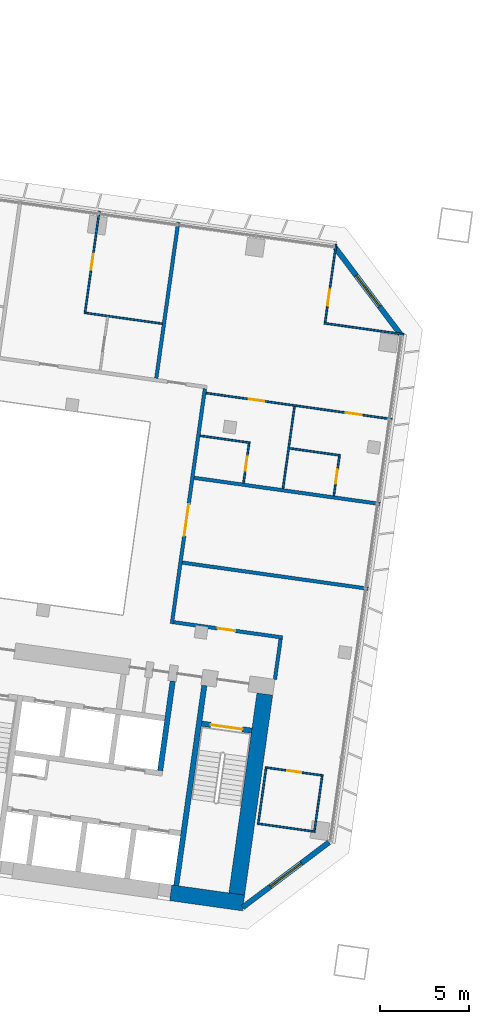
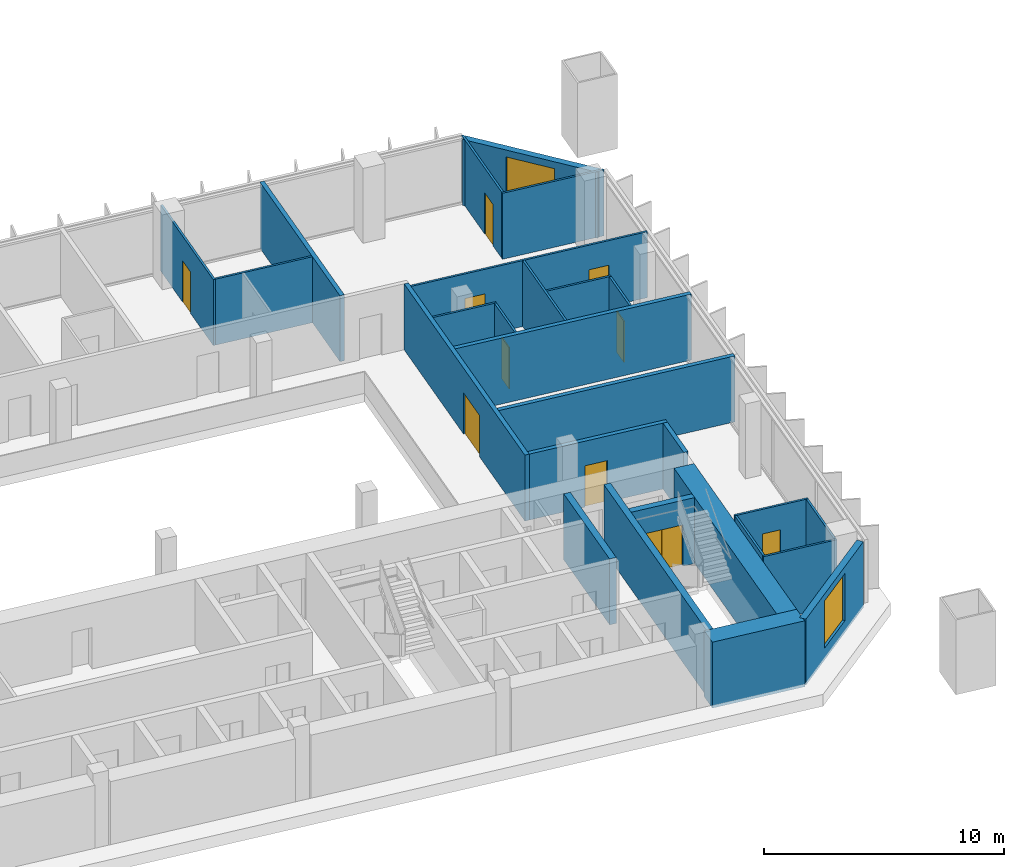
# One storey, part 17 of 24: 27 walls, 10 doors, 2 windows, 12 openings.
"""IFC4 building model written with IfcOpenShell, lengths in metres."""

from ifc_helpers import new_model, si_unit, direction, frame, frame_2d, origin, place, context, subcontext, project, spatial, rectangle, extrude, material, layer, layer_set, type_object, element, fill, save


model = new_model("IFC4")

# Units and contexts
model_context = context("Model", 3, precision=1e-05, world=origin(), true_north=direction((0.0, 1.0)))
body_context = subcontext(model_context, "Body", "Model", "MODEL_VIEW")
ifc_project = project(units=[si_unit("LENGTHUNIT", "METRE"), si_unit("AREAUNIT", "SQUARE_METRE"), si_unit("VOLUMEUNIT", "CUBIC_METRE"), si_unit("PLANEANGLEUNIT", "RADIAN"), si_unit("MASSUNIT", "GRAM", prefix="KILO")], contexts=[model_context])

# Site, building, storey
site_placement = place(None, origin())
site = spatial("IfcSite", under=ifc_project, at=site_placement, CompositionType="ELEMENT")
building_placement = place(site_placement, origin())
building = spatial("IfcBuilding", under=site, at=building_placement, Name="Mirante Cascada Hotel Towers", CompositionType="ELEMENT")
storey_placement = place(building_placement, frame((0.0, 0.0, 85.1)))
storey = spatial("IfcBuildingStorey", under=building, at=storey_placement, Name="L18", CompositionType="ELEMENT", Elevation=85.1)

# Wall, opening, door
ifc_material_1 = material(Name="Fire-rated plasterboard on metal studs")
ifc_layer_1 = layer(ifc_material_1, 0.2)
ifc_layer_set_1 = layer_set([ifc_layer_1], Name="Compartment wall 200 EI 120")
wall_type_1 = type_object("IfcWallType", Name="Compartment wall 200 EI 120", PredefinedType="PARTITIONING", material=ifc_layer_set_1)
wall_1_placement = place(storey_placement, frame((-34.8304, -4.7545, 0.0), z_axis=(0.0, 0.0, 1.0), x_axis=(-0.9902695, 0.1391629, 0.0)))
wall_1 = element("IfcWall", 1, at=wall_1_placement, inside=storey, type_object=wall_type_1, Name="Wall 1-L18-03", PredefinedType="PARTITIONING", context=body_context, shape_type="SweptSolid", body=[
    extrude(rectangle(XDim=6.1999, YDim=0.2, at=frame_2d((3.1, 0.0))), origin(), (0.0, 0.0, 1.0), 3.35),
])
opening_1_placement = place(wall_1_placement, frame((2.7, 0.0, 0.0)))
opening_1 = element("IfcOpeningElement", 2, at=opening_1_placement, cuts=wall_1, Name="Opening D1-L18-02", PredefinedType="OPENING", context=body_context, shape_type="SweptSolid", body=[
    extrude(rectangle(XDim=1.0, YDim=2.1, at=frame_2d((0.5, 1.05))), frame((0.0, 0.1, 0.0), z_axis=(0.0, -1.0, 0.0), x_axis=(1.0, 0.0, 0.0)), (0.0, 0.0, 1.0), 0.2),
])
ifc_material_2 = material(Name="Fire-rated timber door leaf", Category="wood")
door_type_1 = type_object("IfcDoorType", Name="Entrance door DG1 1000x2100 EI 60", OperationType="SINGLE_SWING_LEFT", PredefinedType="DOOR", material=ifc_material_2)
door_1_placement = place(opening_1_placement, origin())
door_1 = element("IfcDoor", 3, at=door_1_placement, inside=storey, type_object=door_type_1, Name="Door D1-L18-02", OperationType="SINGLE_SWING_LEFT", OverallHeight=2.1, OverallWidth=1.0, PredefinedType="DOOR", context=body_context, shape_type="SweptSolid", body=[
    extrude(rectangle(XDim=1.0, YDim=2.1, at=frame_2d((0.5, 1.05))), frame((0.0, 0.025, 0.0), z_axis=(0.0, -1.0, 0.0), x_axis=(1.0, 0.0, 0.0)), (0.0, 0.0, 1.0), 0.05),
])
fill(opening_1, door_1)

# Walls
wall_2_placement = place(storey_placement, frame((-40.4968, -0.5248, 0.0), z_axis=(0.0, 0.0, 1.0), x_axis=(0.9902684, -0.1391704, 0.0)))
element("IfcWall", 4, at=wall_2_placement, inside=storey, type_object=wall_type_1, Name="Wall 1-L18-04", PredefinedType="PARTITIONING", context=body_context, shape_type="SweptSolid", body=[
    extrude(rectangle(XDim=10.6, YDim=0.2, at=frame_2d((5.3, 0.0))), origin(), (0.0, 0.0, 1.0), 3.35),
])
wall_3_placement = place(storey_placement, frame((-39.8242, 4.2615, 0.0), z_axis=(0.0, 0.0, 1.0), x_axis=(0.9902686, -0.1391691, 0.0)))
element("IfcWall", 5, at=wall_3_placement, inside=storey, type_object=wall_type_1, Name="Wall 1-L18-08", PredefinedType="PARTITIONING", context=body_context, shape_type="SweptSolid", body=[
    extrude(rectangle(XDim=10.6001, YDim=0.2, at=frame_2d((5.3, 0.0))), origin(), (0.0, 0.0, 1.0), 3.35),
])
wall_4_placement = place(storey_placement, frame((-35.2634, -7.1173, 0.0), z_axis=(0.0, 0.0, 1.0), x_axis=(0.1391749, 0.9902678, 0.0)))
element("IfcWall", 6, at=wall_4_placement, inside=storey, type_object=wall_type_1, Name="Wall 1-L18-27", PredefinedType="PARTITIONING", context=body_context, shape_type="SweptSolid", body=[
    extrude(rectangle(XDim=2.3, YDim=0.2, at=frame_2d((1.15, 0.0))), origin(), (0.0, 0.0, 1.0), 3.35),
])

# Wall, opening, door
wall_5_placement = place(storey_placement, frame((-41.083, -3.9768, 0.0), z_axis=(0.0, 0.0, 1.0), x_axis=(0.1391716, 0.9902683, 0.0)))
wall_5 = element("IfcWall", 7, at=wall_5_placement, inside=storey, type_object=wall_type_1, Name="Wall 1-L18-31", PredefinedType="PARTITIONING", context=body_context, shape_type="SweptSolid", body=[
    extrude(rectangle(XDim=13.4, YDim=0.2, at=frame_2d((6.7, 0.0))), origin(), (0.0, 0.0, 1.0), 3.35),
])
opening_2_placement = place(wall_5_placement, frame((5.0167, 0.0, 0.0)))
opening_2 = element("IfcOpeningElement", 8, at=opening_2_placement, cuts=wall_5, Name="Opening D1-L18-26", PredefinedType="OPENING", context=body_context, shape_type="SweptSolid", body=[
    extrude(rectangle(XDim=1.8, YDim=2.1, at=frame_2d((0.9, 1.05))), frame((0.0, 0.1, 0.0), z_axis=(0.0, -1.0, 0.0), x_axis=(1.0, 0.0, 0.0)), (0.0, 0.0, 1.0), 0.2),
])
ifc_material_3 = material(Name="Fire-rated timber door leaf", Category="wood")
door_type_2 = type_object("IfcDoorType", Name="Suite double door DG2 1800x2100 EI 60", OperationType="DOUBLE_DOOR_SINGLE_SWING", PredefinedType="DOOR", material=ifc_material_3)
door_2_placement = place(opening_2_placement, origin())
door_2 = element("IfcDoor", 9, at=door_2_placement, inside=storey, type_object=door_type_2, Name="Door D1-L18-26", OperationType="DOUBLE_DOOR_SINGLE_SWING", OverallHeight=2.1, OverallWidth=1.8, PredefinedType="DOOR", context=body_context, shape_type="SweptSolid", body=[
    extrude(rectangle(XDim=0.895, YDim=2.1, at=frame_2d((0.4475, 1.05))), frame((0.0, 0.025, 0.0), z_axis=(0.0, -1.0, 0.0), x_axis=(1.0, 0.0, 0.0)), (0.0, 0.0, 1.0), 0.05),
    extrude(rectangle(XDim=0.895, YDim=2.1, at=frame_2d((1.3525, 1.05))), frame((0.0, 0.025, 0.0), z_axis=(0.0, -1.0, 0.0), x_axis=(1.0, 0.0, 0.0)), (0.0, 0.0, 1.0), 0.05),
])
fill(opening_2, door_2)

# Walls
wall_6_placement = place(storey_placement, frame((-40.7243, 18.6939, 0.0), z_axis=(0.0, 0.0, 1.0), x_axis=(-0.1391794, -0.9902672, 0.0)))
element("IfcWall", 10, at=wall_6_placement, inside=storey, type_object=wall_type_1, Name="Wall 1-L18-32", PredefinedType="PARTITIONING", context=body_context, shape_type="SweptSolid", body=[
    extrude(rectangle(XDim=8.9, YDim=0.2, at=frame_2d((4.45, 0.0))), origin(), (0.0, 0.0, 1.0), 3.35),
])
ifc_material_4 = material(Name="Plasterboard on metal studs")
ifc_layer_2 = layer(ifc_material_4, 0.1)
ifc_layer_set_2 = layer_set([ifc_layer_2], Name="Partition 100")
wall_type_2 = type_object("IfcWallType", Name="Partition 100", PredefinedType="PARTITIONING", material=ifc_layer_set_2)
wall_7_placement = place(storey_placement, frame((-32.9882, -15.7176, 0.0), z_axis=(0.0, 0.0, 1.0), x_axis=(-0.990267, 0.139181, 0.0)))
element("IfcWall", 11, at=wall_7_placement, inside=storey, type_object=wall_type_2, Name="Wall 1-L18-01", PredefinedType="PARTITIONING", context=body_context, shape_type="SweptSolid", body=[
    extrude(rectangle(XDim=3.3, YDim=0.1, at=frame_2d((1.65, 0.0))), origin(), (0.0, 0.0, 1.0), 3.35),
])

# Wall, opening, door
wall_8_placement = place(storey_placement, frame((-35.8107, -12.0895, 0.0), z_axis=(0.0, 0.0, 1.0), x_axis=(0.9902664, -0.1391852, 0.0)))
wall_8 = element("IfcWall", 12, at=wall_8_placement, inside=storey, type_object=wall_type_2, Name="Wall 1-L18-02", PredefinedType="PARTITIONING", context=body_context, shape_type="SweptSolid", body=[
    extrude(rectangle(XDim=3.2999, YDim=0.1, at=frame_2d((1.65, 0.0))), origin(), (0.0, 0.0, 1.0), 3.35),
])
opening_3_placement = place(wall_8_placement, frame((1.25, 0.0, 0.0)))
opening_3 = element("IfcOpeningElement", 13, at=opening_3_placement, cuts=wall_8, Name="Opening D1-L18-01", PredefinedType="OPENING", context=body_context, shape_type="SweptSolid", body=[
    extrude(rectangle(XDim=0.8, YDim=2.1, at=frame_2d((0.4, 1.05))), frame((0.0, 0.05, 0.0), z_axis=(0.0, -1.0, 0.0), x_axis=(1.0, 0.0, 0.0)), (0.0, 0.0, 1.0), 0.1),
])
ifc_material_5 = material(Name="Timber door leaf", Category="wood")
door_type_3 = type_object("IfcDoorType", Name="Bathroom door DG4 800x2100", OperationType="SINGLE_SWING_LEFT", PredefinedType="DOOR", material=ifc_material_5)
door_3_placement = place(opening_3_placement, origin())
door_3 = element("IfcDoor", 14, at=door_3_placement, inside=storey, type_object=door_type_3, Name="Door D1-L18-01", OperationType="SINGLE_SWING_LEFT", OverallHeight=2.1, OverallWidth=0.8, PredefinedType="DOOR", context=body_context, shape_type="SweptSolid", body=[
    extrude(rectangle(XDim=0.8, YDim=2.1, at=frame_2d((0.4, 1.05))), frame((0.0, 0.025, 0.0), z_axis=(0.0, -1.0, 0.0), x_axis=(1.0, 0.0, 0.0)), (0.0, 0.0, 1.0), 0.05),
])
fill(opening_3, door_3)

# Walls
wall_9_placement = place(storey_placement, frame((-34.4398, 5.9284, 0.0), z_axis=(0.0, 0.0, 1.0), x_axis=(0.9902683, -0.1391714, 0.0)))
element("IfcWall", 15, at=wall_9_placement, inside=storey, type_object=wall_type_2, Name="Wall 1-L18-10", PredefinedType="PARTITIONING", context=body_context, shape_type="SweptSolid", body=[
    extrude(rectangle(XDim=2.9, YDim=0.1, at=frame_2d((1.45, 0.0))), origin(), (0.0, 0.0, 1.0), 3.35),
])
wall_10_placement = place(storey_placement, frame((-36.6679, 6.2415, 0.0), z_axis=(0.0, 0.0, 1.0), x_axis=(-0.9902704, 0.1391564, 0.0)))
element("IfcWall", 16, at=wall_10_placement, inside=storey, type_object=wall_type_2, Name="Wall 1-L18-11", PredefinedType="PARTITIONING", context=body_context, shape_type="SweptSolid", body=[
    extrude(rectangle(XDim=2.85, YDim=0.1, at=frame_2d((1.425, 0.0))), origin(), (0.0, 0.0, 1.0), 3.35),
])

# Wall, openings, doors
wall_11_placement = place(storey_placement, frame((-28.6547, 7.5726, 0.0), z_axis=(0.0, 0.0, 1.0), x_axis=(-0.9902671, 0.1391797, 0.0)))
wall_11 = element("IfcWall", 17, at=wall_11_placement, inside=storey, type_object=wall_type_2, Name="Wall 1-L18-13", PredefinedType="PARTITIONING", context=body_context, shape_type="SweptSolid", body=[
    extrude(rectangle(XDim=10.6, YDim=0.1, at=frame_2d((5.3, 0.0))), origin(), (0.0, 0.0, 1.0), 3.35),
])
opening_4_placement = place(wall_11_placement, frame((1.725, 0.0, 0.0)))
opening_4 = element("IfcOpeningElement", 18, at=opening_4_placement, cuts=wall_11, Name="Opening D1-L18-06", PredefinedType="OPENING", context=body_context, shape_type="SweptSolid", body=[
    extrude(rectangle(XDim=0.9, YDim=2.1, at=frame_2d((0.45, 1.05))), frame((0.0, 0.05, 0.0), z_axis=(0.0, -1.0, 0.0), x_axis=(1.0, 0.0, 0.0)), (0.0, 0.0, 1.0), 0.1),
])
opening_5_placement = place(wall_11_placement, frame((7.275, 0.0, 0.0)))
opening_5 = element("IfcOpeningElement", 19, at=opening_5_placement, cuts=wall_11, Name="Opening D1-L18-07", PredefinedType="OPENING", context=body_context, shape_type="SweptSolid", body=[
    extrude(rectangle(XDim=0.9, YDim=2.1, at=frame_2d((0.45, 1.05))), frame((0.0, 0.05, 0.0), z_axis=(0.0, -1.0, 0.0), x_axis=(1.0, 0.0, 0.0)), (0.0, 0.0, 1.0), 0.1),
])
ifc_material_6 = material(Name="Timber door leaf", Category="wood")
door_type_4 = type_object("IfcDoorType", Name="Room door DG3 900x2100", OperationType="SINGLE_SWING_LEFT", PredefinedType="DOOR", material=ifc_material_6)
door_4_placement = place(opening_4_placement, frame((0.9, 0.0, 0.0), z_axis=(0.0, 0.0, 1.0), x_axis=(-1.0, 0.0, 0.0)))
door_4 = element("IfcDoor", 20, at=door_4_placement, inside=storey, type_object=door_type_4, Name="Door D1-L18-06", OperationType="SINGLE_SWING_RIGHT", OverallHeight=2.1, OverallWidth=0.9, PredefinedType="DOOR", context=body_context, shape_type="SweptSolid", body=[
    extrude(rectangle(XDim=0.9, YDim=2.1, at=frame_2d((0.45, 1.05))), frame((0.0, 0.025, 0.0), z_axis=(0.0, -1.0, 0.0), x_axis=(1.0, 0.0, 0.0)), (0.0, 0.0, 1.0), 0.05),
])
fill(opening_4, door_4)
door_5_placement = place(opening_5_placement, frame((0.9, 0.0, 0.0), z_axis=(0.0, 0.0, 1.0), x_axis=(-1.0, 0.0, 0.0)))
door_5 = element("IfcDoor", 21, at=door_5_placement, inside=storey, type_object=door_type_4, Name="Door D1-L18-07", OperationType="SINGLE_SWING_RIGHT", OverallHeight=2.1, OverallWidth=0.9, PredefinedType="DOOR", context=body_context, shape_type="SweptSolid", body=[
    extrude(rectangle(XDim=0.9, YDim=2.1, at=frame_2d((0.45, 1.05))), frame((0.0, 0.025, 0.0), z_axis=(0.0, -1.0, 0.0), x_axis=(1.0, 0.0, 0.0)), (0.0, 0.0, 1.0), 0.05),
])
fill(opening_5, door_5)

# Walls
wall_12_placement = place(storey_placement, frame((-45.9382, 13.5697, 0.0), z_axis=(0.0, 0.0, 1.0), x_axis=(0.9902679, -0.1391745, 0.0)))
element("IfcWall", 22, at=wall_12_placement, inside=storey, type_object=wall_type_2, Name="Wall 1-L18-20", PredefinedType="PARTITIONING", context=body_context, shape_type="SweptSolid", body=[
    extrude(rectangle(XDim=4.3499, YDim=0.1, at=frame_2d((2.175, 0.0))), origin(), (0.0, 0.0, 1.0), 3.35),
])
wall_13_placement = place(storey_placement, frame((-27.982, 12.3589, 0.0), z_axis=(0.0, 0.0, 1.0), x_axis=(-0.9902691, 0.1391656, 0.0)))
element("IfcWall", 23, at=wall_13_placement, inside=storey, type_object=wall_type_2, Name="Wall 1-L18-23", PredefinedType="PARTITIONING", context=body_context, shape_type="SweptSolid", body=[
    extrude(rectangle(XDim=4.55, YDim=0.1, at=frame_2d((2.275, 0.0))), origin(), (0.0, 0.0, 1.0), 3.35),
])
wall_14_placement = place(storey_placement, frame((-32.5993, -12.5913, 0.0), z_axis=(0.0, 0.0, 1.0), x_axis=(-0.1391945, -0.9902651, 0.0)))
element("IfcWall", 24, at=wall_14_placement, inside=storey, type_object=wall_type_2, Name="Wall 1-L18-24", PredefinedType="PARTITIONING", context=body_context, shape_type="SweptSolid", body=[
    extrude(rectangle(XDim=3.1, YDim=0.1, at=frame_2d((1.55, 0.0))), origin(), (0.0, 0.0, 1.0), 3.35),
])

# Wall, opening, door
wall_15_placement = place(storey_placement, frame((-31.9376, 3.2541, 0.0), z_axis=(0.0, 0.0, 1.0), x_axis=(0.1391561, 0.9902705, 0.0)))
wall_15 = element("IfcWall", 25, at=wall_15_placement, inside=storey, type_object=wall_type_2, Name="Wall 1-L18-25", PredefinedType="PARTITIONING", context=body_context, shape_type="SweptSolid", body=[
    extrude(rectangle(XDim=2.25, YDim=0.1, at=frame_2d((1.125, 0.0))), origin(), (0.0, 0.0, 1.0), 3.35),
])
opening_6_placement = place(wall_15_placement, frame((0.7, 0.0, 0.0)))
opening_6 = element("IfcOpeningElement", 26, at=opening_6_placement, cuts=wall_15, Name="Opening D1-L18-23", PredefinedType="OPENING", context=body_context, shape_type="SweptSolid", body=[
    extrude(rectangle(XDim=0.8, YDim=2.1, at=frame_2d((0.4, 1.05))), frame((0.0, 0.05, 0.0), z_axis=(0.0, -1.0, 0.0), x_axis=(1.0, 0.0, 0.0)), (0.0, 0.0, 1.0), 0.1),
])
door_6_placement = place(opening_6_placement, origin())
door_6 = element("IfcDoor", 27, at=door_6_placement, inside=storey, type_object=door_type_3, Name="Door D1-L18-23", OperationType="SINGLE_SWING_LEFT", OverallHeight=2.1, OverallWidth=0.8, PredefinedType="DOOR", context=body_context, shape_type="SweptSolid", body=[
    extrude(rectangle(XDim=0.8, YDim=2.1, at=frame_2d((0.4, 1.05))), frame((0.0, 0.025, 0.0), z_axis=(0.0, -1.0, 0.0), x_axis=(1.0, 0.0, 0.0)), (0.0, 0.0, 1.0), 0.05),
])
fill(opening_6, door_6)

# Wall
wall_16_placement = place(storey_placement, frame((-35.7682, -12.146, 0.0), z_axis=(0.0, 0.0, 1.0), x_axis=(-0.1391629, -0.9902695, 0.0)))
element("IfcWall", 28, at=wall_16_placement, inside=storey, type_object=wall_type_2, Name="Wall 1-L18-26", PredefinedType="PARTITIONING", context=body_context, shape_type="SweptSolid", body=[
    extrude(rectangle(XDim=3.1, YDim=0.1, at=frame_2d((1.55, 0.0))), origin(), (0.0, 0.0, 1.0), 3.35),
])

# Wall, opening, door
wall_17_placement = place(storey_placement, frame((-31.8119, 17.4414, 0.0), z_axis=(0.0, 0.0, 1.0), x_axis=(-0.1391684, -0.9902687, 0.0)))
wall_17 = element("IfcWall", 29, at=wall_17_placement, inside=storey, type_object=wall_type_2, Name="Wall 1-L18-28", PredefinedType="PARTITIONING", context=body_context, shape_type="SweptSolid", body=[
    extrude(rectangle(XDim=4.45, YDim=0.1, at=frame_2d((2.225, 0.0))), origin(), (0.0, 0.0, 1.0), 3.35),
])
opening_7_placement = place(wall_17_placement, frame((2.5833, 0.0, 0.0)))
opening_7 = element("IfcOpeningElement", 30, at=opening_7_placement, cuts=wall_17, Name="Opening D1-L18-24", PredefinedType="OPENING", context=body_context, shape_type="SweptSolid", body=[
    extrude(rectangle(XDim=0.9, YDim=2.1, at=frame_2d((0.45, 1.05))), frame((0.0, 0.05, 0.0), z_axis=(0.0, -1.0, 0.0), x_axis=(1.0, 0.0, 0.0)), (0.0, 0.0, 1.0), 0.1),
])
door_7_placement = place(opening_7_placement, frame((0.9, 0.0, 0.0), z_axis=(0.0, 0.0, 1.0), x_axis=(-1.0, 0.0, 0.0)))
door_7 = element("IfcDoor", 31, at=door_7_placement, inside=storey, type_object=door_type_4, Name="Door D1-L18-24", OperationType="SINGLE_SWING_RIGHT", OverallHeight=2.1, OverallWidth=0.9, PredefinedType="DOOR", context=body_context, shape_type="SweptSolid", body=[
    extrude(rectangle(XDim=0.9, YDim=2.1, at=frame_2d((0.45, 1.05))), frame((0.0, 0.025, 0.0), z_axis=(0.0, -1.0, 0.0), x_axis=(1.0, 0.0, 0.0)), (0.0, 0.0, 1.0), 0.05),
])
fill(opening_7, door_7)

# Wall
wall_18_placement = place(storey_placement, frame((-34.8094, 3.6577, 0.0), z_axis=(0.0, 0.0, 1.0), x_axis=(0.139173, 0.9902681, 0.0)))
element("IfcWall", 32, at=wall_18_placement, inside=storey, type_object=wall_type_2, Name="Wall 1-L18-29", PredefinedType="PARTITIONING", context=body_context, shape_type="SweptSolid", body=[
    extrude(rectangle(XDim=4.6834, YDim=0.1, at=frame_2d((2.3417, 0.0))), origin(), (0.0, 0.0, 1.0), 3.35),
])

# Wall, opening, door
wall_19_placement = place(storey_placement, frame((-36.7244, 6.1989, 0.0), z_axis=(0.0, 0.0, 1.0), x_axis=(-0.1391561, -0.9902705, 0.0)))
wall_19 = element("IfcWall", 33, at=wall_19_placement, inside=storey, type_object=wall_type_2, Name="Wall 1-L18-30", PredefinedType="PARTITIONING", context=body_context, shape_type="SweptSolid", body=[
    extrude(rectangle(XDim=2.25, YDim=0.1, at=frame_2d((1.125, 0.0))), origin(), (0.0, 0.0, 1.0), 3.35),
])
opening_8_placement = place(wall_19_placement, frame((0.75, 0.0, 0.0)))
opening_8 = element("IfcOpeningElement", 34, at=opening_8_placement, cuts=wall_19, Name="Opening D1-L18-25", PredefinedType="OPENING", context=body_context, shape_type="SweptSolid", body=[
    extrude(rectangle(XDim=0.8, YDim=2.1, at=frame_2d((0.4, 1.05))), frame((0.0, 0.05, 0.0), z_axis=(0.0, -1.0, 0.0), x_axis=(1.0, 0.0, 0.0)), (0.0, 0.0, 1.0), 0.1),
])
door_8_placement = place(opening_8_placement, frame((0.8, 0.0, 0.0), z_axis=(0.0, 0.0, 1.0), x_axis=(-1.0, 0.0, 0.0)))
door_8 = element("IfcDoor", 35, at=door_8_placement, inside=storey, type_object=door_type_3, Name="Door D1-L18-25", OperationType="SINGLE_SWING_RIGHT", OverallHeight=2.1, OverallWidth=0.8, PredefinedType="DOOR", context=body_context, shape_type="SweptSolid", body=[
    extrude(rectangle(XDim=0.8, YDim=2.1, at=frame_2d((0.4, 1.05))), frame((0.0, 0.025, 0.0), z_axis=(0.0, -1.0, 0.0), x_axis=(1.0, 0.0, 0.0)), (0.0, 0.0, 1.0), 0.05),
])
fill(opening_8, door_8)

wall_20_placement = place(storey_placement, frame((-45.1805, 19.3202, 0.0), z_axis=(0.0, 0.0, 1.0), x_axis=(-0.1391786, -0.9902673, 0.0)))
wall_20 = element("IfcWall", 36, at=wall_20_placement, inside=storey, type_object=wall_type_2, Name="Wall 1-L18-34", PredefinedType="PARTITIONING", context=body_context, shape_type="SweptSolid", body=[
    extrude(rectangle(XDim=5.85, YDim=0.1, at=frame_2d((2.925, 0.0))), origin(), (0.0, 0.0, 1.0), 3.35),
])
opening_9_placement = place(wall_20_placement, frame((2.45, 0.0, 0.0)))
opening_9 = element("IfcOpeningElement", 37, at=opening_9_placement, cuts=wall_20, Name="Opening D1-L18-28", PredefinedType="OPENING", context=body_context, shape_type="SweptSolid", body=[
    extrude(rectangle(XDim=0.9, YDim=2.1, at=frame_2d((0.45, 1.05))), frame((0.0, 0.05, 0.0), z_axis=(0.0, -1.0, 0.0), x_axis=(1.0, 0.0, 0.0)), (0.0, 0.0, 1.0), 0.1),
])
door_9_placement = place(opening_9_placement, frame((0.9, 0.0, 0.0), z_axis=(0.0, 0.0, 1.0), x_axis=(-1.0, 0.0, 0.0)))
door_9 = element("IfcDoor", 38, at=door_9_placement, inside=storey, type_object=door_type_4, Name="Door D1-L18-28", OperationType="SINGLE_SWING_RIGHT", OverallHeight=2.1, OverallWidth=0.9, PredefinedType="DOOR", context=body_context, shape_type="SweptSolid", body=[
    extrude(rectangle(XDim=0.9, YDim=2.1, at=frame_2d((0.45, 1.05))), frame((0.0, 0.025, 0.0), z_axis=(0.0, -1.0, 0.0), x_axis=(1.0, 0.0, 0.0)), (0.0, 0.0, 1.0), 0.05),
])
fill(opening_9, door_9)

# Wall, opening, window
ifc_material_7 = material(Name="Precast concrete C40/50", Category="concrete")
ifc_layer_3 = layer(ifc_material_7, 0.3)
ifc_layer_set_3 = layer_set([ifc_layer_3], Name="Precast concrete C40/50 cladding wall 300")
wall_type_3 = type_object("IfcWallType", Name="Precast concrete C40/50 cladding wall 300", PredefinedType="STANDARD", material=ifc_layer_set_3)
wall_21_placement = place(storey_placement, frame((-31.857, 17.252, 0.0), z_axis=(0.0, 0.0, 1.0), x_axis=(0.6018141, -0.7986362, 0.0)))
wall_21 = element("IfcWall", 39, at=wall_21_placement, inside=storey, type_object=wall_type_3, Name="Corner cladding wall T1 L18 front inner", PredefinedType="STANDARD", context=body_context, shape_type="SweptSolid", body=[
    extrude(rectangle(XDim=6.1157, YDim=0.3, at=frame_2d((3.0578, 0.0))), origin(), (0.0, 0.0, 1.0), 3.35),
])
opening_10_placement = place(wall_21_placement, frame((1.9578, 0.0, 0.6)))
opening_10 = element("IfcOpeningElement", 40, at=opening_10_placement, cuts=wall_21, Name="Opening W1-18-04", PredefinedType="OPENING", context=body_context, shape_type="SweptSolid", body=[
    extrude(rectangle(XDim=2.2, YDim=2.4, at=frame_2d((1.1, 1.2))), frame((0.0, 0.15, 0.0), z_axis=(0.0, -1.0, 0.0), x_axis=(1.0, 0.0, 0.0)), (0.0, 0.0, 1.0), 0.3),
])
ifc_material_8 = material(Name="Aluminium frame with clear double glazing", Category="aluminium")
window_type = type_object("IfcWindowType", Name="Corner suite window 2200x2400", PartitioningType="DOUBLE_PANEL_VERTICAL", PredefinedType="WINDOW", material=ifc_material_8)
window_1_placement = place(opening_10_placement, origin())
window_1 = element("IfcWindow", 41, at=window_1_placement, inside=storey, type_object=window_type, Name="Window W1-18-04", OverallHeight=2.4, OverallWidth=2.2, PartitioningType="SINGLE_PANEL", PredefinedType="WINDOW", context=body_context, shape_type="SweptSolid", body=[
    extrude(rectangle(XDim=2.2, YDim=2.4, at=frame_2d((1.1, 1.2))), frame((0.0, 0.03, 0.0), z_axis=(0.0, -1.0, 0.0), x_axis=(1.0, 0.0, 0.0)), (0.0, 0.0, 1.0), 0.06),
])
fill(opening_10, window_1)

wall_22_placement = place(storey_placement, frame((-32.2074, -16.3138, 0.0), z_axis=(0.0, 0.0, 1.0), x_axis=(-0.7986362, -0.6018141, 0.0)))
wall_22 = element("IfcWall", 42, at=wall_22_placement, inside=storey, type_object=wall_type_3, Name="Corner cladding wall T1 L18 inner rear", PredefinedType="STANDARD", context=body_context, shape_type="SweptSolid", body=[
    extrude(rectangle(XDim=6.1157, YDim=0.3, at=frame_2d((3.0578, 0.0))), origin(), (0.0, 0.0, 1.0), 3.35),
])
opening_11_placement = place(wall_22_placement, frame((1.9578, 0.0, 0.6)))
opening_11 = element("IfcOpeningElement", 43, at=opening_11_placement, cuts=wall_22, Name="Opening W1-18-05", PredefinedType="OPENING", context=body_context, shape_type="SweptSolid", body=[
    extrude(rectangle(XDim=2.2, YDim=2.4, at=frame_2d((1.1, 1.2))), frame((0.0, 0.15, 0.0), z_axis=(0.0, -1.0, 0.0), x_axis=(1.0, 0.0, 0.0)), (0.0, 0.0, 1.0), 0.3),
])
window_2_placement = place(opening_11_placement, origin())
window_2 = element("IfcWindow", 44, at=window_2_placement, inside=storey, type_object=window_type, Name="Window W1-18-05", OverallHeight=2.4, OverallWidth=2.2, PartitioningType="SINGLE_PANEL", PredefinedType="WINDOW", context=body_context, shape_type="SweptSolid", body=[
    extrude(rectangle(XDim=2.2, YDim=2.4, at=frame_2d((1.1, 1.2))), frame((0.0, 0.03, 0.0), z_axis=(0.0, -1.0, 0.0), x_axis=(1.0, 0.0, 0.0)), (0.0, 0.0, 1.0), 0.06),
])
fill(opening_11, window_2)

# Wall
ifc_material_9 = material(Name="Concrete C50/60", Category="concrete")
ifc_layer_4 = layer(ifc_material_9, 0.3)
ifc_layer_set_4 = layer_set([ifc_layer_4], Name="RC core wall 300 C50/60")
wall_type_4 = type_object("IfcWallType", Name="RC core wall 300 C50/60", PredefinedType="SHEAR", material=ifc_layer_set_4)
wall_23_placement = place(storey_placement, frame((-40.8373, -18.7548, 0.0), z_axis=(0.0, 0.0, 1.0), x_axis=(0.1391749, 0.9902678, 0.0)))
element("IfcWall", 45, at=wall_23_placement, inside=storey, type_object=wall_type_4, Name="Core wall T1:L18:5", PredefinedType="SHEAR", context=body_context, shape_type="SweptSolid", body=[
    extrude(rectangle(XDim=11.4, YDim=0.3, at=frame_2d((5.7, 0.0))), origin(), (0.0, 0.0, 1.0), 3.35),
])

# Wall, opening, door
wall_24_placement = place(storey_placement, frame((-36.5791, -10.0123, 0.0), z_axis=(0.0, 0.0, 1.0), x_axis=(-0.9902704, 0.1391564, 0.0)))
wall_24 = element("IfcWall", 46, at=wall_24_placement, inside=storey, type_object=wall_type_4, Name="Core wall T1:L18:9", PredefinedType="SHEAR", context=body_context, shape_type="SweptSolid", body=[
    extrude(rectangle(XDim=2.85, YDim=0.3, at=frame_2d((1.425, 0.0))), origin(), (0.0, 0.0, 1.0), 3.35),
])
opening_12_placement = place(wall_24_placement, frame((0.525, 0.0, 0.0)))
opening_12 = element("IfcOpeningElement", 47, at=opening_12_placement, cuts=wall_24, Name="Opening D1-18-C13", PredefinedType="OPENING", context=body_context, shape_type="SweptSolid", body=[
    extrude(rectangle(XDim=1.8, YDim=2.1, at=frame_2d((0.9, 1.05))), frame((0.0, 0.15, 0.0), z_axis=(0.0, -1.0, 0.0), x_axis=(1.0, 0.0, 0.0)), (0.0, 0.0, 1.0), 0.3),
])
ifc_material_10 = material(Name="Hollow metal fire door leaf")
door_type_5 = type_object("IfcDoorType", Name="Double fire door 1800x2100 FD60", OperationType="DOUBLE_DOOR_SINGLE_SWING", PredefinedType="DOOR", material=ifc_material_10)
door_10_placement = place(opening_12_placement, origin())
door_10 = element("IfcDoor", 48, at=door_10_placement, inside=storey, type_object=door_type_5, Name="Stair door T1 L18 13", OperationType="DOUBLE_DOOR_SINGLE_SWING", OverallHeight=2.1, OverallWidth=1.8, PredefinedType="DOOR", context=body_context, shape_type="SweptSolid", body=[
    extrude(rectangle(XDim=0.895, YDim=2.1, at=frame_2d((0.4475, 1.05))), frame((0.0, 0.025, 0.0), z_axis=(0.0, -1.0, 0.0), x_axis=(1.0, 0.0, 0.0)), (0.0, 0.0, 1.0), 0.05),
    extrude(rectangle(XDim=0.895, YDim=2.1, at=frame_2d((1.3525, 1.05))), frame((0.0, 0.025, 0.0), z_axis=(0.0, -1.0, 0.0), x_axis=(1.0, 0.0, 0.0)), (0.0, 0.0, 1.0), 0.05),
])
fill(opening_12, door_10)

# Walls
wall_25_placement = place(storey_placement, frame((-41.743, -12.2656, 0.0), z_axis=(0.0, 0.0, 1.0), x_axis=(0.1391755, 0.9902677, 0.0)))
element("IfcWall", 49, at=wall_25_placement, inside=storey, type_object=wall_type_4, Name="Core wall T1:L18:20", PredefinedType="SHEAR", context=body_context, shape_type="SweptSolid", body=[
    extrude(rectangle(XDim=5.1, YDim=0.3, at=frame_2d((2.55, 0.0))), origin(), (0.0, 0.0, 1.0), 3.35),
])
ifc_material_11 = material(Name="Concrete C50/60", Category="concrete")
ifc_layer_5 = layer(ifc_material_11, 0.9)
ifc_layer_set_5 = layer_set([ifc_layer_5], Name="RC core wall 900 C50/60")
wall_type_5 = type_object("IfcWallType", Name="RC core wall 900 C50/60", PredefinedType="SHEAR", material=ifc_layer_set_5)
wall_26_placement = place(storey_placement, frame((-37.0379, -19.7432, 0.0), z_axis=(0.0, 0.0, 1.0), x_axis=(-0.990267, 0.139181, 0.0)))
element("IfcWall", 50, at=wall_26_placement, inside=storey, type_object=wall_type_5, Name="Core wall T1:L18:1.1", PredefinedType="SHEAR", context=body_context, shape_type="SweptSolid", body=[
    extrude(rectangle(XDim=4.15, YDim=0.9, at=frame_2d((2.075, 0.0))), origin(), (0.0, 0.0, 1.0), 3.35),
])
wall_27_placement = place(storey_placement, frame((-37.4209, -19.2349, 0.0), z_axis=(0.0, 0.0, 1.0), x_axis=(0.1391761, 0.9902677, 0.0)))
element("IfcWall", 51, at=wall_27_placement, inside=storey, type_object=wall_type_5, Name="Core wall T1:L18:3", PredefinedType="SHEAR", context=body_context, shape_type="SweptSolid", body=[
    extrude(rectangle(XDim=11.3999, YDim=0.9, at=frame_2d((5.7, 0.0))), origin(), (0.0, 0.0, 1.0), 3.35),
])

save(model, "model.ifc")
